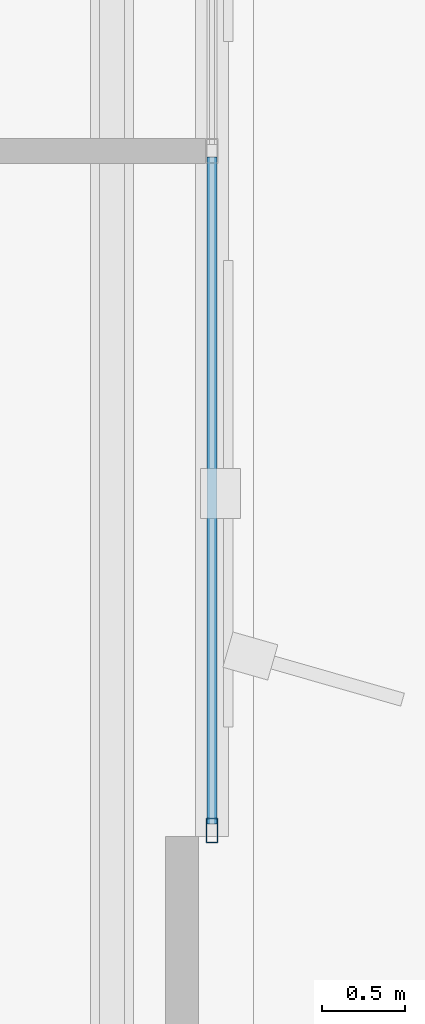
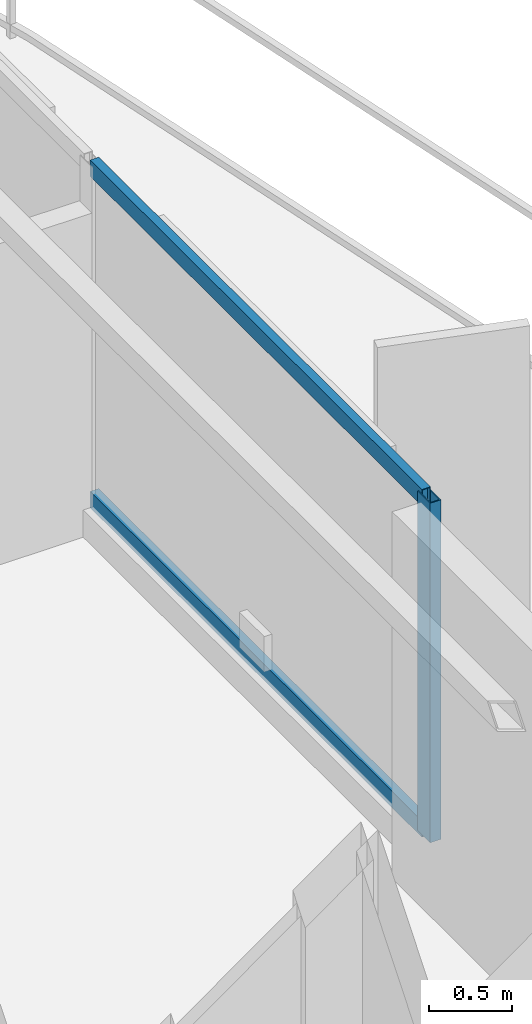
# One storey, part 7 of 18: 3 members, 1 element without a shape of its own.
"""IFC4 building model written with IfcOpenShell, lengths in metres."""

from ifc_helpers import new_model, si_unit, direction, frame, origin, origin_2d, place, context, subcontext, project, spatial, hollow_rectangle, extrude, material, layer, layer_set, material_profile, profile_set, type_object, element, aggregate, save


model = new_model("IFC4")

# Units and contexts
model_context = context("Model", 3, precision=1e-05, world=origin(), true_north=direction((0.0, 1.0)))
body_context = subcontext(model_context, "Body", "Model", "MODEL_VIEW")
ifc_project = project(units=[si_unit("LENGTHUNIT", "METRE"), si_unit("AREAUNIT", "SQUARE_METRE"), si_unit("VOLUMEUNIT", "CUBIC_METRE"), si_unit("PLANEANGLEUNIT", "RADIAN"), si_unit("MASSUNIT", "GRAM", prefix="KILO")], contexts=[model_context])

# Site, building, storey
site_placement = place(None, origin())
site = spatial("IfcSite", under=ifc_project, at=site_placement, CompositionType="ELEMENT")
building_placement = place(site_placement, origin())
building = spatial("IfcBuilding", under=site, at=building_placement, Name="Mersakhor Tower and Convention Hall", CompositionType="ELEMENT")
storey_placement = place(building_placement, frame((0.0, 0.0, 233.10009765625)))
storey = spatial("IfcBuildingStorey", under=building, at=storey_placement, Name="L65", CompositionType="ELEMENT", Elevation=233.10009765625)

# Curtain wall, members
ifc_material_1 = material(Name="Dark solar low-E aluminium curtain wall", Category="aluminium")
ifc_layer = layer(ifc_material_1, 0.179931640625)
ifc_layer_set = layer_set([ifc_layer], Name="Dark solar low-E aluminium curtain wall")
curtain_wall_type = type_object("IfcCurtainWallType", Name="CW-SYS-03", PredefinedType="USERDEFINED", material=ifc_layer_set)
curtain_wall_placement = place(storey_placement, origin())
curtain_wall = element("IfcCurtainWall", 1, at=curtain_wall_placement, inside=storey, type_object=curtain_wall_type, Name="L65 Dark-Glass Curtain Wall F2-B2", ObjectType="CURTAIN WALL", PredefinedType="USERDEFINED")
ifc_material_2 = material(Name="Anodised aluminium EN AW-6063 T6", Category="aluminium")
ifc_material_profile_1 = material_profile(ifc_material_2, hollow_rectangle(XDim=0.074951171875, YDim=0.14990234375, WallThickness=0.00634765625, at=origin_2d()), Name="RHS 150x75x6.3")
ifc_profile_set_1 = profile_set([ifc_material_profile_1], Name="Anodised aluminium EN AW-6063 T6")
member_type_1 = type_object("IfcMemberType", Name="CWM-150x75", PredefinedType="MULLION", material=ifc_profile_set_1)
member_1_placement = place(storey_placement, frame((39.742919921875, 22.673583984375, 0.199951171875), z_axis=(0.0, 0.0, 1.0), x_axis=(1.0, 0.0, 0.0)))
member_1 = element("IfcMember", 2, at=member_1_placement, type_object=member_type_1, Name="CW-03 mullion 3", PredefinedType="MULLION", context=body_context, shape_type="SweptSolid", body=[
    extrude(hollow_rectangle(XDim=0.074951171875, YDim=0.14990234375, WallThickness=0.00634765625, at=origin_2d()), origin(), (0.0, 0.0, 1.0), 2.5),
])
ifc_material_3 = material(Name="Anodised aluminium EN AW-6063 T6", Category="aluminium")
ifc_material_profile_2 = material_profile(ifc_material_3, hollow_rectangle(XDim=0.06005859375, YDim=0.1201171875, WallThickness=0.0048828125, at=origin_2d()), Name="RHS 120x60x5")
ifc_profile_set_2 = profile_set([ifc_material_profile_2], Name="Anodised aluminium EN AW-6063 T6")
member_type_2 = type_object("IfcMemberType", Name="CWT-120x60", PredefinedType="USERDEFINED", material=ifc_profile_set_2)
member_2_placement = place(storey_placement, frame((39.742919921875, 26.71240234375, 0.22998046875), z_axis=(0.0, -1.0, 0.0), x_axis=(1.0, 0.0, 0.0)))
member_2 = element("IfcMember", 3, at=member_2_placement, type_object=member_type_2, Name="CW-03 transom 2.1", ObjectType="TRANSOM", PredefinedType="USERDEFINED", context=body_context, shape_type="SweptSolid", body=[
    extrude(hollow_rectangle(XDim=0.06005859375, YDim=0.1201171875, WallThickness=0.0048828125, at=origin_2d()), origin(), (0.0, 0.0, 1.0), 4.001220703125),
])
member_3_placement = place(storey_placement, frame((39.742919921875, 26.71240234375, 2.669921875), z_axis=(0.0, -1.0, 0.0), x_axis=(1.0, 0.0, 0.0)))
member_3 = element("IfcMember", 4, at=member_3_placement, type_object=member_type_2, Name="CW-03 transom 2.2", ObjectType="TRANSOM", PredefinedType="USERDEFINED", context=body_context, shape_type="SweptSolid", body=[
    extrude(hollow_rectangle(XDim=0.06005859375, YDim=0.1201171875, WallThickness=0.0048828125, at=origin_2d()), origin(), (0.0, 0.0, 1.0), 4.001220703125),
])
aggregate(curtain_wall, [member_1, member_2, member_3])

save(model, "model.ifc")
